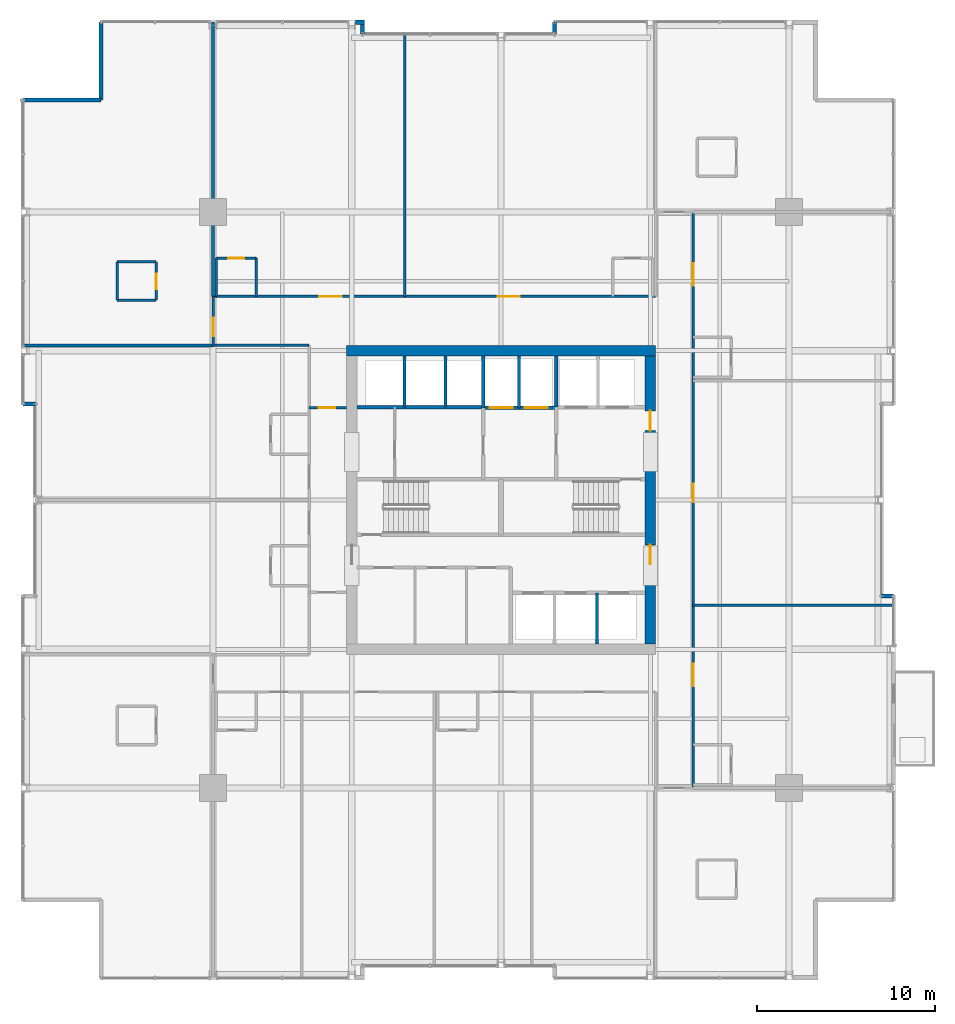
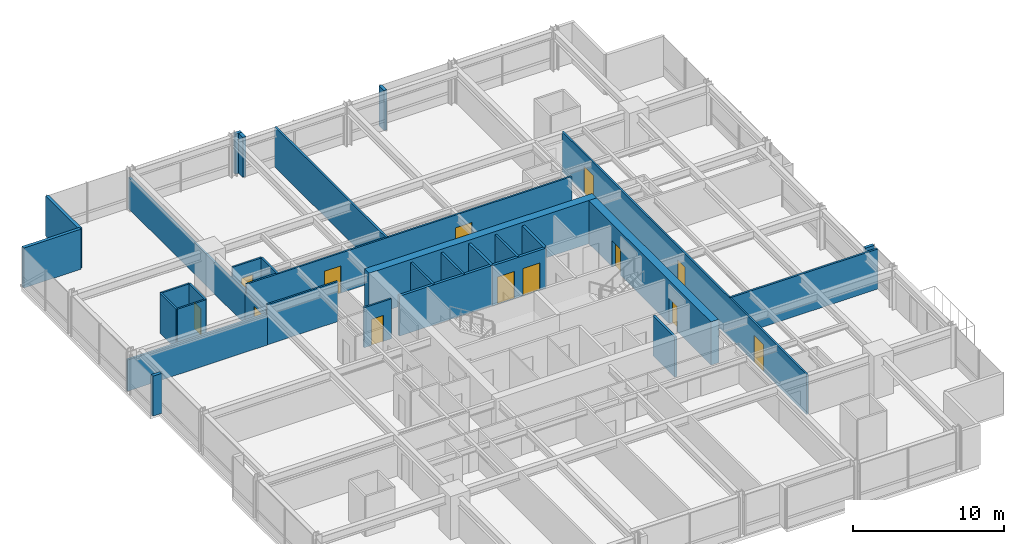
# One storey, part 30 of 33: 33 walls, 13 doors, 13 openings.
"""IFC4 building model written with IfcOpenShell, lengths in metres."""

from ifc_helpers import new_model, si_unit, direction, frame, frame_2d, origin, place, context, subcontext, project, spatial, rectangle, extrude, material, layer, layer_set, type_object, element, fill, save


model = new_model("IFC4")

# Units and contexts
model_context = context("Model", 3, precision=1e-05, world=origin(), true_north=direction((0.0, 1.0)))
body_context = subcontext(model_context, "Body", "Model", "MODEL_VIEW")
ifc_project = project(units=[si_unit("LENGTHUNIT", "METRE"), si_unit("AREAUNIT", "SQUARE_METRE"), si_unit("VOLUMEUNIT", "CUBIC_METRE"), si_unit("PLANEANGLEUNIT", "RADIAN"), si_unit("MASSUNIT", "GRAM", prefix="KILO")], contexts=[model_context])

# Site, building, storey
site_placement = place(None, origin())
site = spatial("IfcSite", under=ifc_project, at=site_placement, CompositionType="ELEMENT")
building_placement = place(site_placement, origin())
building = spatial("IfcBuilding", under=site, at=building_placement, Name="Drelvath Grand Hotel", CompositionType="ELEMENT")
storey_placement = place(building_placement, frame((0.0, 0.0, 119.800048828125)))
storey = spatial("IfcBuildingStorey", under=building, at=storey_placement, Name="L30", CompositionType="ELEMENT", Elevation=119.800048828125)

# Wall
ifc_material_1 = material(Name="Concrete C40/50", Category="concrete")
ifc_layer_1 = layer(ifc_material_1, 0.199951171875)
ifc_layer_set_1 = layer_set([ifc_layer_1], Name="Concrete C40/50")
wall_type_1 = type_object("IfcWallType", Name="Core Hoistway Fire Wall 200", PredefinedType="SOLIDWALL", material=ifc_layer_set_1)
wall_1_placement = place(storey_placement, frame((3.10009765625, 32.219970703125, 0.0), z_axis=(0.0, 0.0, 1.0), x_axis=(0.0, 1.0, 0.0)))
element("IfcWall", 1, at=wall_1_placement, inside=storey, type_object=wall_type_1, Name="L30 FSAE Hoistway West Wall", PredefinedType="SOLIDWALL", context=body_context, shape_type="SweptSolid", body=[
    extrude(rectangle(XDim=2.880126953125, YDim=0.199951171875, at=frame_2d((1.43994140625, 0.0))), origin(), (0.0, 0.0, 1.0), 3.239990234375),
])

# Wall, openings, doors
wall_2_placement = place(storey_placement, frame((-1.0, 32.179931640625, 0.0), z_axis=(0.0, 0.0, 1.0), x_axis=(1.0, 0.0, 0.0)))
wall_2 = element("IfcWall", 2, at=wall_2_placement, inside=storey, type_object=wall_type_1, Name="L30 Service Lift Hoistway Wall", PredefinedType="SOLIDWALL", context=body_context, shape_type="SweptSolid", body=[
    extrude(rectangle(XDim=4.10009765625, YDim=0.199951171875, at=frame_2d((2.050048828125, 0.0))), origin(), (0.0, 0.0, 1.0), 3.239990234375),
])
opening_1_placement = place(wall_2_placement, frame((0.3701171875, 0.0, 0.0)))
opening_1 = element("IfcOpeningElement", 3, at=opening_1_placement, cuts=wall_2, Name="Opening LD-SV-2", PredefinedType="OPENING", context=body_context, shape_type="SweptSolid", body=[
    extrude(rectangle(XDim=1.300048828125, YDim=2.199951171875, at=frame_2d((0.64990234375, 1.10009765625))), frame((0.0, 0.10986328125, 0.0), z_axis=(0.0, -1.0, 0.0), x_axis=(1.0, 0.0, 0.0)), (0.0, 0.0, 1.0), 0.219970703125),
])
opening_2_placement = place(wall_2_placement, frame((2.330078125, 0.0, 0.0)))
opening_2 = element("IfcOpeningElement", 4, at=opening_2_placement, cuts=wall_2, Name="Opening LD-SV-1", PredefinedType="OPENING", context=body_context, shape_type="SweptSolid", body=[
    extrude(rectangle(XDim=1.300048828125, YDim=2.199951171875, at=frame_2d((0.64990234375, 1.10009765625))), frame((0.0, 0.10986328125, 0.0), z_axis=(0.0, -1.0, 0.0), x_axis=(1.0, 0.0, 0.0)), (0.0, 0.0, 1.0), 0.219970703125),
])
ifc_material_2 = material(Name="Stainless Steel S355", Category="steel")
door_type_1 = type_object("IfcDoorType", Name="Service Lift Sliding Landing Door 1300x2200", OperationType="NOTDEFINED", PredefinedType="DOOR", material=ifc_material_2)
door_1_placement = place(opening_1_placement, origin())
door_1 = element("IfcDoor", 5, at=door_1_placement, inside=storey, type_object=door_type_1, Name="L30 Lift SV-2 Landing Door", OperationType="SLIDING_TO_LEFT", OverallHeight=2.199951171875, OverallWidth=1.300048828125, PredefinedType="DOOR", context=body_context, shape_type="SweptSolid", body=[
    extrude(rectangle(XDim=1.300048828125, YDim=2.199951171875, at=frame_2d((0.64990234375, 1.10009765625))), frame((0.0, 0.02490234375, 0.0), z_axis=(0.0, -1.0, 0.0), x_axis=(1.0, 0.0, 0.0)), (0.0, 0.0, 1.0), 0.050048828125),
])
fill(opening_1, door_1)
door_2_placement = place(opening_2_placement, origin())
door_2 = element("IfcDoor", 6, at=door_2_placement, inside=storey, type_object=door_type_1, Name="L30 Lift SV-1 Landing Door", OperationType="SLIDING_TO_LEFT", OverallHeight=2.199951171875, OverallWidth=1.300048828125, PredefinedType="DOOR", context=body_context, shape_type="SweptSolid", body=[
    extrude(rectangle(XDim=1.300048828125, YDim=2.199951171875, at=frame_2d((0.64990234375, 1.10009765625))), frame((0.0, 0.02490234375, 0.0), z_axis=(0.0, -1.0, 0.0), x_axis=(1.0, 0.0, 0.0)), (0.0, 0.0, 1.0), 0.050048828125),
])
fill(opening_2, door_2)

# Walls
wall_3_placement = place(storey_placement, frame((-1.0, 32.179931640625, 0.0), z_axis=(0.0, 0.0, 1.0), x_axis=(0.0, 1.0, 0.0)))
element("IfcWall", 7, at=wall_3_placement, inside=storey, type_object=wall_type_1, Name="L30 Service Lift West Wall", PredefinedType="SOLIDWALL", context=body_context, shape_type="SweptSolid", body=[
    extrude(rectangle(XDim=2.920166015625, YDim=0.199951171875, at=frame_2d((1.4599609375, 0.0))), origin(), (0.0, 0.0, 1.0), 3.239990234375),
])
wall_4_placement = place(storey_placement, frame((-8.10009765625, 32.219970703125, 0.0), z_axis=(0.0, 0.0, 1.0), x_axis=(1.0, 0.0, 0.0)))
element("IfcWall", 8, at=wall_4_placement, inside=storey, type_object=wall_type_1, Name="L30 Bank 3 Hoistway Wall", PredefinedType="SOLIDWALL", context=body_context, shape_type="SweptSolid", body=[
    extrude(rectangle(XDim=7.10009765625, YDim=0.199951171875, at=frame_2d((3.550048828125, 0.0))), origin(), (0.0, 0.0, 1.0), 3.239990234375),
])
ifc_material_3 = material(Name="Gypsum Fireboard Partition")
ifc_layer_2 = layer(ifc_material_3, 0.1650390625)
ifc_layer_set_2 = layer_set([ifc_layer_2], Name="Gypsum Fireboard Partition")
wall_type_2 = type_object("IfcWallType", Name="Core Shaft Partition 165", PredefinedType="PARTITIONING", material=ifc_layer_set_2)
wall_5_placement = place(storey_placement, frame((1.0, 32.179931640625, 0.0), z_axis=(0.0, 0.0, 1.0), x_axis=(0.0, 1.0, 0.0)))
element("IfcWall", 9, at=wall_5_placement, inside=storey, type_object=wall_type_2, Name="L30 Service Lift Divider", PredefinedType="PARTITIONING", context=body_context, shape_type="SweptSolid", body=[
    extrude(rectangle(XDim=2.920166015625, YDim=0.1650390625, at=frame_2d((1.4599609375, 0.0))), origin(), (0.0, 0.0, 1.0), 3.239990234375),
])
for number, where, z_axis, x_axis, name in (
    (10, (-5.43994140625, 32.219970703125, 0.0), (0.0, 0.0, 1.0), (0.0, 1.0, 0.0), "L30 Lift PE-7/8 Divider"),
    (11, (-3.1201171875, 32.219970703125, 0.0), (0.0, 0.0, 1.0), (0.0, 1.0, 0.0), "L30 Lift PE-8/9 Divider"),
    (12, (5.39990234375, 18.89990234375, 0.0), (0.0, 0.0, 1.0), (0.0, 1.0, 0.0), "L30 Lift PE-5/6 Divider"),
):
    element("IfcWall", number, at=place(storey_placement, frame(where, z_axis=z_axis, x_axis=x_axis)), inside=storey, type_object=wall_type_2, Name=name, PredefinedType="PARTITIONING", context=body_context, shape_type="SweptSolid", body=[
        extrude(rectangle(XDim=2.880126953125, YDim=0.1650390625, at=frame_2d((1.43994140625, 0.0))), origin(), (0.0, 0.0, 1.0), 3.239990234375),
    ])

# Wall, opening, door
ifc_layer_3 = layer(ifc_material_3, 0.135009765625)
ifc_layer_set_3 = layer_set([ifc_layer_3], Name="Gypsum Fireboard Partition")
wall_type_3 = type_object("IfcWallType", Name="Corridor Fire Barrier Wall 135", PredefinedType="PARTITIONING", material=ifc_layer_set_3)
wall_6_placement = place(storey_placement, frame((-10.800048828125, 32.199951171875, 0.0), z_axis=(0.0, 0.0, 1.0), x_axis=(1.0, 0.0, 0.0)))
wall_6 = element("IfcWall", 13, at=wall_6_placement, inside=storey, type_object=wall_type_3, Name="L30 West Foyer North Wall", PredefinedType="PARTITIONING", context=body_context, shape_type="SweptSolid", body=[
    extrude(rectangle(XDim=2.10009765625, YDim=0.135009765625, at=frame_2d((1.050048828125, 0.0))), origin(), (0.0, 0.0, 1.0), 3.239990234375),
])
opening_3_placement = place(wall_6_placement, frame((0.550048828125, 0.0, 0.0)))
opening_3 = element("IfcOpeningElement", 14, at=opening_3_placement, cuts=wall_6, Name="Opening D-T2G3-020", PredefinedType="OPENING", context=body_context, shape_type="SweptSolid", body=[
    extrude(rectangle(XDim=0.919921875, YDim=2.10009765625, at=frame_2d((0.4599609375, 1.050048828125))), frame((0.0, 0.077392578125, 0.0), z_axis=(0.0, -1.0, 0.0), x_axis=(1.0, 0.0, 0.0)), (0.0, 0.0, 1.0), 0.155029296875),
])
ifc_material_4 = material(Name="Painted Steel S275", Category="steel")
door_type_2 = type_object("IfcDoorType", Name="Staff Utility Door 920x2100", OperationType="NOTDEFINED", PredefinedType="DOOR", material=ifc_material_4)
door_3_placement = place(opening_3_placement, origin())
door_3 = element("IfcDoor", 15, at=door_3_placement, inside=storey, type_object=door_type_2, Name="L30 West Pantry Door", OperationType="SINGLE_SWING_LEFT", OverallHeight=2.10009765625, OverallWidth=0.919921875, PredefinedType="DOOR", context=body_context, shape_type="SweptSolid", body=[
    extrude(rectangle(XDim=0.919921875, YDim=2.10009765625, at=frame_2d((0.4599609375, 1.050048828125))), frame((0.0, 0.02490234375, 0.0), z_axis=(0.0, -1.0, 0.0), x_axis=(1.0, 0.0, 0.0)), (0.0, 0.0, 1.0), 0.050048828125),
])
fill(opening_3, door_3)

# Wall
wall_7_placement = place(storey_placement, frame((-16.199951171875, 35.699951171875, 0.0), z_axis=(0.0, 0.0, 1.0), x_axis=(1.0, 0.0, 0.0)))
element("IfcWall", 16, at=wall_7_placement, inside=storey, type_object=wall_type_3, Name="L30 NW Stub South Wall", PredefinedType="PARTITIONING", context=body_context, shape_type="SweptSolid", body=[
    extrude(rectangle(XDim=5.39990234375, YDim=0.135009765625, at=frame_2d((2.699951171875, 0.0))), origin(), (0.0, 0.0, 1.0), 3.239990234375),
])

# Wall, openings, doors
wall_8_placement = place(storey_placement, frame((-16.199951171875, 38.449951171875, 0.0), z_axis=(0.0, 0.0, 1.0), x_axis=(1.0, 0.0, 0.0)))
wall_8 = element("IfcWall", 17, at=wall_8_placement, inside=storey, type_object=wall_type_3, Name="L30 North Stub Corridor Wall", PredefinedType="PARTITIONING", context=body_context, shape_type="SweptSolid", body=[
    extrude(rectangle(XDim=24.89990234375, YDim=0.135009765625, at=frame_2d((12.449951171875, 0.0))), origin(), (0.0, 0.0, 1.0), 3.239990234375),
])
opening_4_placement = place(wall_8_placement, frame((5.97998046875, 0.0, 0.0)))
opening_4 = element("IfcOpeningElement", 18, at=opening_4_placement, cuts=wall_8, Name="Opening D-T2G3-036", PredefinedType="OPENING", context=body_context, shape_type="SweptSolid", body=[
    extrude(rectangle(XDim=1.260009765625, YDim=2.199951171875, at=frame_2d((0.6298828125, 1.10009765625))), frame((0.0, 0.077392578125, 0.0), z_axis=(0.0, -1.0, 0.0), x_axis=(1.0, 0.0, 0.0)), (0.0, 0.0, 1.0), 0.155029296875),
])
opening_5_placement = place(wall_8_placement, frame((16.0, 0.0, 0.0)))
opening_5 = element("IfcOpeningElement", 19, at=opening_5_placement, cuts=wall_8, Name="Opening D-T2G3-038", PredefinedType="OPENING", context=body_context, shape_type="SweptSolid", body=[
    extrude(rectangle(XDim=1.260009765625, YDim=2.199951171875, at=frame_2d((0.6298828125, 1.10009765625))), frame((0.0, 0.077392578125, 0.0), z_axis=(0.0, -1.0, 0.0), x_axis=(1.0, 0.0, 0.0)), (0.0, 0.0, 1.0), 0.155029296875),
])
ifc_material_5 = material(Name="Hardwood Walnut Timber", Category="wood")
door_type_3 = type_object("IfcDoorType", Name="Suite Entrance Fire Door 1260x2200", OperationType="NOTDEFINED", PredefinedType="DOOR", material=ifc_material_5)
door_4_placement = place(opening_4_placement, origin())
door_4 = element("IfcDoor", 20, at=door_4_placement, inside=storey, type_object=door_type_3, Name="L30 Corner Suite Entry Door", OperationType="SINGLE_SWING_LEFT", OverallHeight=2.199951171875, OverallWidth=1.260009765625, PredefinedType="DOOR", context=body_context, shape_type="SweptSolid", body=[
    extrude(rectangle(XDim=1.260009765625, YDim=2.199951171875, at=frame_2d((0.6298828125, 1.10009765625))), frame((0.0, 0.02490234375, 0.0), z_axis=(0.0, -1.0, 0.0), x_axis=(1.0, 0.0, 0.0)), (0.0, 0.0, 1.0), 0.050048828125),
])
fill(opening_4, door_4)
door_5_placement = place(opening_5_placement, origin())
door_5 = element("IfcDoor", 21, at=door_5_placement, inside=storey, type_object=door_type_3, Name="L30 Corner Suite Entry Door", OperationType="SINGLE_SWING_LEFT", OverallHeight=2.199951171875, OverallWidth=1.260009765625, PredefinedType="DOOR", context=body_context, shape_type="SweptSolid", body=[
    extrude(rectangle(XDim=1.260009765625, YDim=2.199951171875, at=frame_2d((0.6298828125, 1.10009765625))), frame((0.0, 0.02490234375, 0.0), z_axis=(0.0, -1.0, 0.0), x_axis=(1.0, 0.0, 0.0)), (0.0, 0.0, 1.0), 0.050048828125),
])
fill(opening_5, door_5)

wall_9_placement = place(storey_placement, frame((10.800048828125, 10.800048828125, 0.0), z_axis=(0.0, 0.0, 1.0), x_axis=(0.0, 1.0, 0.0)))
wall_9 = element("IfcWall", 22, at=wall_9_placement, inside=storey, type_object=wall_type_3, Name="L30 East Spine Corridor Wall", PredefinedType="PARTITIONING", context=body_context, shape_type="SweptSolid", body=[
    extrude(rectangle(XDim=32.39990234375, YDim=0.135009765625, at=frame_2d((16.199951171875, 0.0))), origin(), (0.0, 0.0, 1.0), 3.239990234375),
])
opening_6_placement = place(wall_9_placement, frame((5.7216796875, 0.0, 0.0)))
opening_6 = element("IfcOpeningElement", 23, at=opening_6_placement, cuts=wall_9, Name="Opening D-T2G3-040", PredefinedType="OPENING", context=body_context, shape_type="SweptSolid", body=[
    extrude(rectangle(XDim=1.260009765625, YDim=2.199951171875, at=frame_2d((0.6298828125, 1.10009765625))), frame((0.0, 0.077392578125, 0.0), z_axis=(0.0, -1.0, 0.0), x_axis=(1.0, 0.0, 0.0)), (0.0, 0.0, 1.0), 0.155029296875),
])
opening_7_placement = place(wall_9_placement, frame((16.085205078125, 0.0, 0.0)))
opening_7 = element("IfcOpeningElement", 24, at=opening_7_placement, cuts=wall_9, Name="Opening D-T2G3-041", PredefinedType="OPENING", context=body_context, shape_type="SweptSolid", body=[
    extrude(rectangle(XDim=1.02001953125, YDim=2.14990234375, at=frame_2d((0.510009765625, 1.074951171875))), frame((0.0, 0.077392578125, 0.0), z_axis=(0.0, -1.0, 0.0), x_axis=(1.0, 0.0, 0.0)), (0.0, 0.0, 1.0), 0.155029296875),
])
opening_8_placement = place(wall_9_placement, frame((28.24365234375, 0.0, 0.0)))
opening_8 = element("IfcOpeningElement", 25, at=opening_8_placement, cuts=wall_9, Name="Opening D-T2G3-043", PredefinedType="OPENING", context=body_context, shape_type="SweptSolid", body=[
    extrude(rectangle(XDim=1.260009765625, YDim=2.199951171875, at=frame_2d((0.6298828125, 1.10009765625))), frame((0.0, 0.077392578125, 0.0), z_axis=(0.0, -1.0, 0.0), x_axis=(1.0, 0.0, 0.0)), (0.0, 0.0, 1.0), 0.155029296875),
])
door_type_4 = type_object("IfcDoorType", Name="Amenity Meeting Fire Door 1020x2150", OperationType="NOTDEFINED", PredefinedType="DOOR", material=ifc_material_5)
door_6_placement = place(opening_7_placement, origin())
door_6 = element("IfcDoor", 26, at=door_6_placement, inside=storey, type_object=door_type_4, Name="L30 Floor Concierge Office Entry Door", OperationType="SINGLE_SWING_RIGHT", OverallHeight=2.14990234375, OverallWidth=1.02001953125, PredefinedType="DOOR", context=body_context, shape_type="SweptSolid", body=[
    extrude(rectangle(XDim=1.02001953125, YDim=2.14990234375, at=frame_2d((0.510009765625, 1.074951171875))), frame((0.0, 0.02490234375, 0.0), z_axis=(0.0, -1.0, 0.0), x_axis=(1.0, 0.0, 0.0)), (0.0, 0.0, 1.0), 0.050048828125),
])
fill(opening_7, door_6)
door_7_placement = place(opening_6_placement, origin())
door_7 = element("IfcDoor", 27, at=door_7_placement, inside=storey, type_object=door_type_3, Name="L30 Corner Suite Entry Door", OperationType="SINGLE_SWING_LEFT", OverallHeight=2.199951171875, OverallWidth=1.260009765625, PredefinedType="DOOR", context=body_context, shape_type="SweptSolid", body=[
    extrude(rectangle(XDim=1.260009765625, YDim=2.199951171875, at=frame_2d((0.6298828125, 1.10009765625))), frame((0.0, 0.02490234375, 0.0), z_axis=(0.0, -1.0, 0.0), x_axis=(1.0, 0.0, 0.0)), (0.0, 0.0, 1.0), 0.050048828125),
])
fill(opening_6, door_7)
door_8_placement = place(opening_8_placement, origin())
door_8 = element("IfcDoor", 28, at=door_8_placement, inside=storey, type_object=door_type_3, Name="L30 Corner Suite Entry Door", OperationType="SINGLE_SWING_RIGHT", OverallHeight=2.199951171875, OverallWidth=1.260009765625, PredefinedType="DOOR", context=body_context, shape_type="SweptSolid", body=[
    extrude(rectangle(XDim=1.260009765625, YDim=2.199951171875, at=frame_2d((0.6298828125, 1.10009765625))), frame((0.0, 0.02490234375, 0.0), z_axis=(0.0, -1.0, 0.0), x_axis=(1.0, 0.0, 0.0)), (0.0, 0.0, 1.0), 0.050048828125),
])
fill(opening_8, door_8)

# Wall, opening, door
wall_10_placement = place(storey_placement, frame((-16.199951171875, 35.699951171875, 0.0), z_axis=(0.0, 0.0, 1.0), x_axis=(0.0, 1.0, 0.0)))
wall_10 = element("IfcWall", 29, at=wall_10_placement, inside=storey, type_object=wall_type_3, Name="L30 North Stub West End", PredefinedType="PARTITIONING", context=body_context, shape_type="SweptSolid", body=[
    extrude(rectangle(XDim=2.75, YDim=0.135009765625, at=frame_2d((1.375, 0.0))), origin(), (0.0, 0.0, 1.0), 2.529541015625),
])
opening_9_placement = place(wall_10_placement, frame((0.52001953125, 0.0, 0.0)))
opening_9 = element("IfcOpeningElement", 30, at=opening_9_placement, cuts=wall_10, Name="Opening D-T2G3-024", PredefinedType="OPENING", context=body_context, shape_type="SweptSolid", body=[
    extrude(rectangle(XDim=1.02001953125, YDim=2.14990234375, at=frame_2d((0.510009765625, 1.074951171875))), frame((0.0, 0.077392578125, 0.0), z_axis=(0.0, -1.0, 0.0), x_axis=(1.0, 0.0, 0.0)), (0.0, 0.0, 1.0), 0.155029296875),
])
door_9_placement = place(opening_9_placement, origin())
door_9 = element("IfcDoor", 31, at=door_9_placement, inside=storey, type_object=door_type_4, Name="L30 Corner Suite Entry Door", OperationType="SINGLE_SWING_LEFT", OverallHeight=2.14990234375, OverallWidth=1.02001953125, PredefinedType="DOOR", context=body_context, shape_type="SweptSolid", body=[
    extrude(rectangle(XDim=1.02001953125, YDim=2.14990234375, at=frame_2d((0.510009765625, 1.074951171875))), frame((0.0, 0.02490234375, 0.0), z_axis=(0.0, -1.0, 0.0), x_axis=(1.0, 0.0, 0.0)), (0.0, 0.0, 1.0), 0.050048828125),
])
fill(opening_9, door_9)

# Walls
ifc_material_6 = material(Name="Moisture-Resistant Gypsum Board")
ifc_layer_4 = layer(ifc_material_6, 0.139892578125)
ifc_layer_set_4 = layer_set([ifc_layer_4], Name="Moisture-Resistant Gypsum Board")
wall_type_4 = type_object("IfcWallType", Name="En-Suite Plumbing Wall 140", PredefinedType="PLUMBINGWALL", material=ifc_layer_set_4)
for number, where, z_axis, x_axis, name in (
    (32, (-21.60009765625, 38.239990234375, 0.0), (0.0, 0.0, 1.0), (1.0, 0.0, 0.0), "L30 Corner En-Suite South"),
    (33, (-21.60009765625, 40.389892578125, 0.0), (0.0, 0.0, 1.0), (1.0, 0.0, 0.0), "L30 Corner En-Suite North"),
):
    element("IfcWall", number, at=place(storey_placement, frame(where, z_axis=z_axis, x_axis=x_axis)), inside=storey, type_object=wall_type_4, Name=name, PredefinedType="PLUMBINGWALL", context=body_context, shape_type="SweptSolid", body=[
        extrude(rectangle(XDim=2.2001953125, YDim=0.139892578125, at=frame_2d((1.10009765625, 0.0))), origin(), (0.0, 0.0, 1.0), 3.239990234375),
    ])
wall_11_placement = place(storey_placement, frame((-21.60009765625, 38.239990234375, 0.0), z_axis=(0.0, 0.0, 1.0), x_axis=(0.0, 1.0, 0.0)))
element("IfcWall", 34, at=wall_11_placement, inside=storey, type_object=wall_type_4, Name="L30 Corner En-Suite West", PredefinedType="PLUMBINGWALL", context=body_context, shape_type="SweptSolid", body=[
    extrude(rectangle(XDim=2.14990234375, YDim=0.139892578125, at=frame_2d((1.074951171875, 0.0))), origin(), (0.0, 0.0, 1.0), 3.239990234375),
])

# Wall, opening, door
wall_12_placement = place(storey_placement, frame((-19.39990234375, 38.239990234375, 0.0), z_axis=(0.0, 0.0, 1.0), x_axis=(0.0, 1.0, 0.0)))
wall_12 = element("IfcWall", 35, at=wall_12_placement, inside=storey, type_object=wall_type_4, Name="L30 Corner En-Suite East", PredefinedType="PLUMBINGWALL", context=body_context, shape_type="SweptSolid", body=[
    extrude(rectangle(XDim=2.14990234375, YDim=0.139892578125, at=frame_2d((1.074951171875, 0.0))), origin(), (0.0, 0.0, 1.0), 3.239990234375),
])
opening_10_placement = place(wall_12_placement, frame((0.6201171875, 0.0, 0.0)))
opening_10 = element("IfcOpeningElement", 36, at=opening_10_placement, cuts=wall_12, Name="Opening D-T2G3-023", PredefinedType="OPENING", context=body_context, shape_type="SweptSolid", body=[
    extrude(rectangle(XDim=0.8798828125, YDim=2.10009765625, at=frame_2d((0.43994140625, 1.050048828125))), frame((0.0, 0.079833984375, 0.0), z_axis=(0.0, -1.0, 0.0), x_axis=(1.0, 0.0, 0.0)), (0.0, 0.0, 1.0), 0.159912109375),
])
door_type_5 = type_object("IfcDoorType", Name="En-Suite Bathroom Door 880x2100", OperationType="NOTDEFINED", PredefinedType="DOOR", material=ifc_material_5)
door_10_placement = place(opening_10_placement, origin())
door_10 = element("IfcDoor", 37, at=door_10_placement, inside=storey, type_object=door_type_5, Name="L30 Corner En-Suite Door", OperationType="SINGLE_SWING_RIGHT", OverallHeight=2.10009765625, OverallWidth=0.8798828125, PredefinedType="DOOR", context=body_context, shape_type="SweptSolid", body=[
    extrude(rectangle(XDim=0.8798828125, YDim=2.10009765625, at=frame_2d((0.43994140625, 1.050048828125))), frame((0.0, 0.02490234375, 0.0), z_axis=(0.0, -1.0, 0.0), x_axis=(1.0, 0.0, 0.0)), (0.0, 0.0, 1.0), 0.050048828125),
])
fill(opening_10, door_10)

# Walls
wall_13_placement = place(storey_placement, frame((-16.02001953125, 38.449951171875, 0.0), z_axis=(0.0, 0.0, 1.0), x_axis=(0.0, 1.0, 0.0)))
element("IfcWall", 38, at=wall_13_placement, inside=storey, type_object=wall_type_4, Name="L30 En-Suite Left Wall", PredefinedType="PLUMBINGWALL", context=body_context, shape_type="SweptSolid", body=[
    extrude(rectangle(XDim=2.150146484375, YDim=0.139892578125, at=frame_2d((1.0751953125, 0.0))), origin(), (0.0, 0.0, 1.0), 2.529541015625),
])
wall_14_placement = place(storey_placement, frame((-13.77001953125, 38.449951171875, 0.0), z_axis=(0.0, 0.0, 1.0), x_axis=(0.0, 1.0, 0.0)))
element("IfcWall", 39, at=wall_14_placement, inside=storey, type_object=wall_type_4, Name="L30 En-Suite Right Wall", PredefinedType="PLUMBINGWALL", context=body_context, shape_type="SweptSolid", body=[
    extrude(rectangle(XDim=2.150146484375, YDim=0.139892578125, at=frame_2d((1.0751953125, 0.0))), origin(), (0.0, 0.0, 1.0), 3.239990234375),
])

# Wall, opening, door
wall_15_placement = place(storey_placement, frame((-16.02001953125, 40.60009765625, 0.0), z_axis=(0.0, 0.0, 1.0), x_axis=(1.0, 0.0, 0.0)))
wall_15 = element("IfcWall", 40, at=wall_15_placement, inside=storey, type_object=wall_type_4, Name="L30 En-Suite Front Wall", PredefinedType="PLUMBINGWALL", context=body_context, shape_type="SweptSolid", body=[
    extrude(rectangle(XDim=2.25, YDim=0.139892578125, at=frame_2d((1.125, 0.0))), origin(), (0.0, 0.0, 1.0), 3.239990234375),
])
opening_11_placement = place(wall_15_placement, frame((0.68505859375, 0.0, 0.0)))
opening_11 = element("IfcOpeningElement", 41, at=opening_11_placement, cuts=wall_15, Name="Opening D-T2G3-035", PredefinedType="OPENING", context=body_context, shape_type="SweptSolid", body=[
    extrude(rectangle(XDim=0.8798828125, YDim=2.10009765625, at=frame_2d((0.43994140625, 1.050048828125))), frame((0.0, 0.079833984375, 0.0), z_axis=(0.0, -1.0, 0.0), x_axis=(1.0, 0.0, 0.0)), (0.0, 0.0, 1.0), 0.159912109375),
])
door_11_placement = place(opening_11_placement, origin())
door_11 = element("IfcDoor", 42, at=door_11_placement, inside=storey, type_object=door_type_5, Name="L30 En-Suite Bathroom Door", OperationType="SINGLE_SWING_RIGHT", OverallHeight=2.10009765625, OverallWidth=0.8798828125, PredefinedType="DOOR", context=body_context, shape_type="SweptSolid", body=[
    extrude(rectangle(XDim=0.8798828125, YDim=2.10009765625, at=frame_2d((0.43994140625, 1.050048828125))), frame((0.0, 0.02490234375, 0.0), z_axis=(0.0, -1.0, 0.0), x_axis=(1.0, 0.0, 0.0)), (0.0, 0.0, 1.0), 0.050048828125),
])
fill(opening_11, door_11)

# Walls
ifc_material_7 = material(Name="Gypsum Acoustic Partition")
ifc_layer_5 = layer(ifc_material_7, 0.14990234375)
ifc_layer_set_5 = layer_set([ifc_layer_5], Name="Gypsum Acoustic Partition")
wall_type_5 = type_object("IfcWallType", Name="Guestroom Demising Wall 150", PredefinedType="PARTITIONING", material=ifc_layer_set_5)
wall_16_placement = place(storey_placement, frame((-5.409912109375, 38.449951171875, 0.0), z_axis=(0.0, 0.0, 1.0), x_axis=(0.0, 1.0, 0.0)))
element("IfcWall", 43, at=wall_16_placement, inside=storey, type_object=wall_type_5, Name="L30 North Demising 1", PredefinedType="PARTITIONING", context=body_context, shape_type="SweptSolid", body=[
    extrude(rectangle(XDim=14.75, YDim=0.14990234375, at=frame_2d((7.375, 0.0))), origin(), (0.0, 0.0, 1.0), 3.239990234375),
])
wall_17_placement = place(storey_placement, frame((10.800048828125, 21.0732421875, 0.0), z_axis=(0.0, 0.0, 1.0), x_axis=(1.0, 0.0, 0.0)))
element("IfcWall", 44, at=wall_17_placement, inside=storey, type_object=wall_type_5, Name="L30 East Demising 1", PredefinedType="PARTITIONING", context=body_context, shape_type="SweptSolid", body=[
    extrude(rectangle(XDim=11.280029296875, YDim=0.14990234375, at=frame_2d((5.64013671875, 0.0))), origin(), (0.0, 0.0, 1.0), 3.239990234375),
])
ifc_material_8 = material(Name="Concrete f'c 70 MPa", Category="concrete")
ifc_layer_6 = layer(ifc_material_8, 0.60009765625)
ifc_layer_set_6 = layer_set([ifc_layer_6], Name="Concrete f'c 70 MPa")
wall_type_6 = type_object("IfcWallType", Name="Lower Core RC Shear Wall 600", PredefinedType="SHEAR", material=ifc_layer_set_6)
wall_18_placement = place(storey_placement, frame((-8.699951171875, 35.39990234375, 0.0), z_axis=(0.0, 0.0, 1.0), x_axis=(1.0, 0.0, 0.0)))
element("IfcWall", 45, at=wall_18_placement, inside=storey, type_object=wall_type_6, Name="L30 Central Core Shear Wall N", PredefinedType="SHEAR", context=body_context, shape_type="SweptSolid", body=[
    extrude(rectangle(XDim=17.39990234375, YDim=0.60009765625, at=frame_2d((8.699951171875, 0.0))), origin(), (0.0, 0.0, 1.0), 3.5),
])

# Wall, openings, doors
wall_19_placement = place(storey_placement, frame((8.39990234375, 35.10009765625, 0.0), z_axis=(0.0, 0.0, 1.0), x_axis=(0.0, -1.0, 0.0)))
wall_19 = element("IfcWall", 46, at=wall_19_placement, inside=storey, type_object=wall_type_6, Name="L30 Central Core Shear Wall E", PredefinedType="SHEAR", context=body_context, shape_type="SweptSolid", body=[
    extrude(rectangle(XDim=16.2001953125, YDim=0.60009765625, at=frame_2d((8.10009765625, 0.0))), origin(), (0.0, 0.0, 1.0), 3.5),
])
opening_12_placement = place(wall_19_placement, frame((3.080078125, 0.0, 0.0)))
opening_12 = element("IfcOpeningElement", 47, at=opening_12_placement, cuts=wall_19, Name="Opening D-T2G3-006", PredefinedType="OPENING", context=body_context, shape_type="SweptSolid", body=[
    extrude(rectangle(XDim=1.1201171875, YDim=2.10009765625, at=frame_2d((0.56005859375, 1.050048828125))), frame((0.0, 0.31005859375, 0.0), z_axis=(0.0, -1.0, 0.0), x_axis=(1.0, 0.0, 0.0)), (0.0, 0.0, 1.0), 0.6201171875),
])
opening_13_placement = place(wall_19_placement, frame((10.6201171875, 0.0, 0.0)))
opening_13 = element("IfcOpeningElement", 48, at=opening_13_placement, cuts=wall_19, Name="Opening D-T2G3-015", PredefinedType="OPENING", context=body_context, shape_type="SweptSolid", body=[
    extrude(rectangle(XDim=1.080078125, YDim=2.0400390625, at=frame_2d((0.5400390625, 1.02001953125))), frame((0.0, 0.31005859375, 0.0), z_axis=(0.0, -1.0, 0.0), x_axis=(1.0, 0.0, 0.0)), (0.0, 0.0, 1.0), 0.6201171875),
])
door_type_6 = type_object("IfcDoorType", Name="Core Corridor Fire Door 1080x2100", OperationType="NOTDEFINED", PredefinedType="DOOR", material=ifc_material_4)
door_12_placement = place(opening_13_placement, origin())
door_12 = element("IfcDoor", 49, at=door_12_placement, inside=storey, type_object=door_type_6, Name="L30 Mid-Rise Lobby East Door", OperationType="SINGLE_SWING_RIGHT", OverallHeight=2.0400390625, OverallWidth=1.080078125, PredefinedType="DOOR", context=body_context, shape_type="SweptSolid", body=[
    extrude(rectangle(XDim=1.080078125, YDim=2.0400390625, at=frame_2d((0.5400390625, 1.02001953125))), frame((0.0, 0.02490234375, 0.0), z_axis=(0.0, -1.0, 0.0), x_axis=(1.0, 0.0, 0.0)), (0.0, 0.0, 1.0), 0.050048828125),
])
fill(opening_13, door_12)
door_type_7 = type_object("IfcDoorType", Name="FSAE Smoke Lobby Fire Door 1120x2100", OperationType="NOTDEFINED", PredefinedType="DOOR", material=ifc_material_4)
door_13_placement = place(opening_12_placement, origin())
door_13 = element("IfcDoor", 50, at=door_13_placement, inside=storey, type_object=door_type_7, Name="L30 FSAE Lobby East Corridor Door", OperationType="SINGLE_SWING_LEFT", OverallHeight=2.10009765625, OverallWidth=1.1201171875, PredefinedType="DOOR", context=body_context, shape_type="SweptSolid", body=[
    extrude(rectangle(XDim=1.1201171875, YDim=2.10009765625, at=frame_2d((0.56005859375, 1.050048828125))), frame((0.0, 0.02490234375, 0.0), z_axis=(0.0, -1.0, 0.0), x_axis=(1.0, 0.0, 0.0)), (0.0, 0.0, 1.0), 0.050048828125),
])
fill(opening_12, door_13)

# Walls
ifc_layer_7 = layer(ifc_material_7, 0.1650390625)
ifc_layer_set_7 = layer_set([ifc_layer_7], Name="Gypsum Acoustic Partition")
wall_type_7 = type_object("IfcWallType", Name="Suite Demising Wall 165", PredefinedType="PARTITIONING", material=ifc_layer_set_7)
wall_20_placement = place(storey_placement, frame((-16.199951171875, 38.449951171875, 0.0), z_axis=(0.0, 0.0, 1.0), x_axis=(0.0, 1.0, 0.0)))
element("IfcWall", 51, at=wall_20_placement, inside=storey, type_object=wall_type_7, Name="L30 NW Suite East Wall", PredefinedType="PARTITIONING", context=body_context, shape_type="SweptSolid", body=[
    extrude(rectangle(XDim=15.429931640625, YDim=0.1650390625, at=frame_2d((7.71484375, 0.0))), origin(), (0.0, 0.0, 1.0), 2.529541015625),
])
wall_21_placement = place(storey_placement, frame((-26.8798828125, 35.699951171875, 0.0), z_axis=(0.0, 0.0, 1.0), x_axis=(1.0, 0.0, 0.0)))
element("IfcWall", 52, at=wall_21_placement, inside=storey, type_object=wall_type_7, Name="L30 NW Suite South Wall", PredefinedType="PARTITIONING", context=body_context, shape_type="SweptSolid", body=[
    extrude(rectangle(XDim=10.679931640625, YDim=0.1650390625, at=frame_2d((5.33984375, 0.0))), origin(), (0.0, 0.0, 1.0), 2.529541015625),
])
ifc_material_9 = material(Name="Pale-Metal Insulated Aluminium Spandrel Assembly", Category="aluminium")
ifc_layer_8 = layer(ifc_material_9, 0.239990234375)
ifc_layer_set_8 = layer_set([ifc_layer_8], Name="Pale-Metal Insulated Aluminium Spandrel Assembly")
wall_type_8 = type_object("IfcWallType", Name="Tower Insulated Metal Spandrel Closure Wall 240", PredefinedType="STANDARD", material=ifc_layer_set_8)
wall_22_placement = place(storey_placement, frame((-8.190673828125, 53.8798828125, 0.0), z_axis=(0.0, 0.0, 1.0), x_axis=(1.0, 0.0, 0.0)))
element("IfcWall", 53, at=wall_22_placement, inside=storey, type_object=wall_type_8, Name="L30 Corner Pier Spandrel Wall NW3", PredefinedType="STANDARD", context=body_context, shape_type="SweptSolid", body=[
    extrude(rectangle(XDim=0.5107421875, YDim=0.239990234375, at=frame_2d((0.25537109375, 0.0))), origin(), (0.0, 0.0, 1.0), 3.239990234375),
])
for number, where, z_axis, x_axis, name in (
    (54, (-26.8798828125, 49.5, 0.0), (0.0, 0.0, 1.0), (1.0, 0.0, 0.0), "L30 Notched Corner Return Spandrel Wall CNW1"),
    (55, (-22.5, 49.5, 0.0), (0.0, 0.0, 1.0), (0.0, 1.0, 0.0), "L30 Notched Corner Return Spandrel Wall CNW2"),
):
    element("IfcWall", number, at=place(storey_placement, frame(where, z_axis=z_axis, x_axis=x_axis)), inside=storey, type_object=wall_type_8, Name=name, PredefinedType="STANDARD", context=body_context, shape_type="SweptSolid", body=[
        extrude(rectangle(XDim=4.3798828125, YDim=0.239990234375, at=frame_2d((2.18994140625, 0.0))), origin(), (0.0, 0.0, 1.0), 3.239990234375),
    ])
wall_23_placement = place(storey_placement, frame((-26.199951171875, 32.39990234375, 0.0), z_axis=(0.0, 0.0, 1.0), x_axis=(-1.0, 0.0, 0.0)))
element("IfcWall", 56, at=wall_23_placement, inside=storey, type_object=wall_type_8, Name="L30 Notched Corner Return Spandrel Wall RW2", PredefinedType="STANDARD", context=body_context, shape_type="SweptSolid", body=[
    extrude(rectangle(XDim=0.679931640625, YDim=0.239990234375, at=frame_2d((0.33984375, 0.0))), origin(), (0.0, 0.0, 1.0), 3.239990234375),
])
wall_24_placement = place(storey_placement, frame((21.39990234375, 21.60009765625, 0.0), z_axis=(0.0, 0.0, 1.0), x_axis=(1.0, 0.0, 0.0)))
element("IfcWall", 57, at=wall_24_placement, inside=storey, type_object=wall_type_8, Name="L30 Notched Corner Return Spandrel Wall RE2", PredefinedType="STANDARD", context=body_context, shape_type="SweptSolid", body=[
    extrude(rectangle(XDim=0.68017578125, YDim=0.239990234375, at=frame_2d((0.340087890625, 0.0))), origin(), (0.0, 0.0, 1.0), 3.239990234375),
])
wall_25_placement = place(storey_placement, frame((-7.800048828125, 53.760009765625, 0.0), z_axis=(0.0, 0.0, 1.0), x_axis=(0.0, -1.0, 0.0)))
element("IfcWall", 58, at=wall_25_placement, inside=storey, type_object=wall_type_8, Name="L30 Notched Corner Return Spandrel Wall RN1", PredefinedType="STANDARD", context=body_context, shape_type="SweptSolid", body=[
    extrude(rectangle(XDim=0.56005859375, YDim=0.239990234375, at=frame_2d((0.280029296875, 0.0))), origin(), (0.0, 0.0, 1.0), 3.239990234375),
])
wall_26_placement = place(storey_placement, frame((3.0, 53.199951171875, 0.0), z_axis=(0.0, 0.0, 1.0), x_axis=(0.0, 1.0, 0.0)))
element("IfcWall", 59, at=wall_26_placement, inside=storey, type_object=wall_type_8, Name="L30 Notched Corner Return Spandrel Wall RN2", PredefinedType="STANDARD", context=body_context, shape_type="SweptSolid", body=[
    extrude(rectangle(XDim=0.679931640625, YDim=0.239990234375, at=frame_2d((0.33984375, 0.0))), origin(), (0.0, 0.0, 1.0), 3.239990234375),
])

save(model, "model.ifc")
